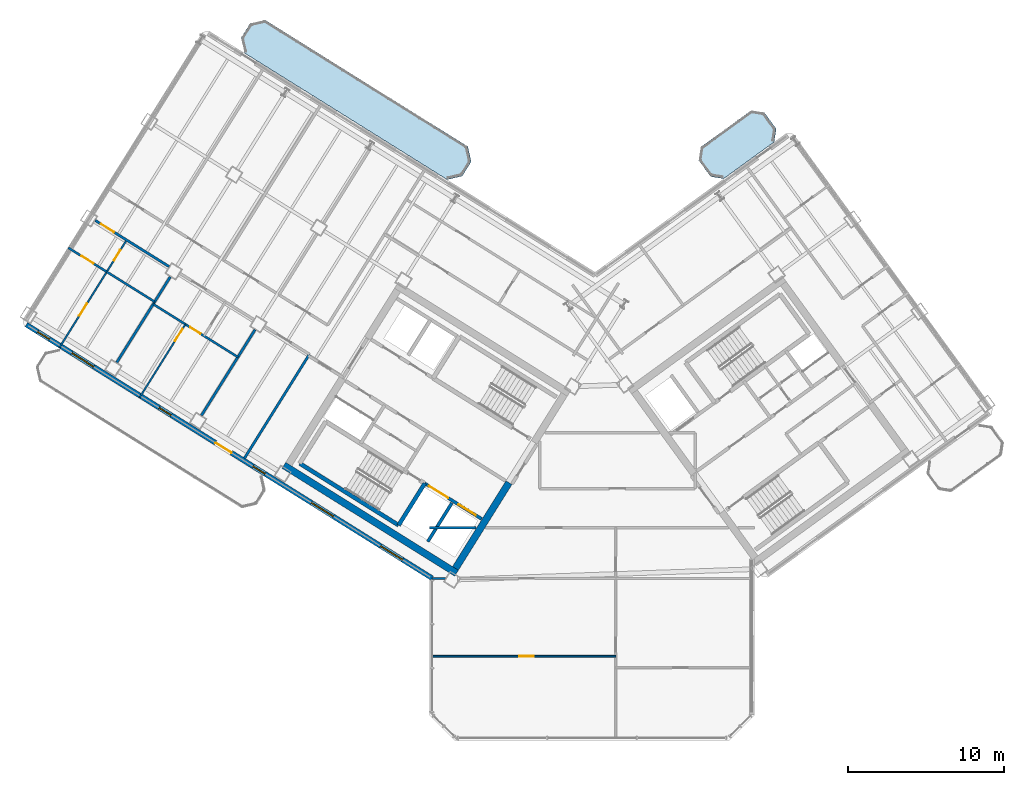
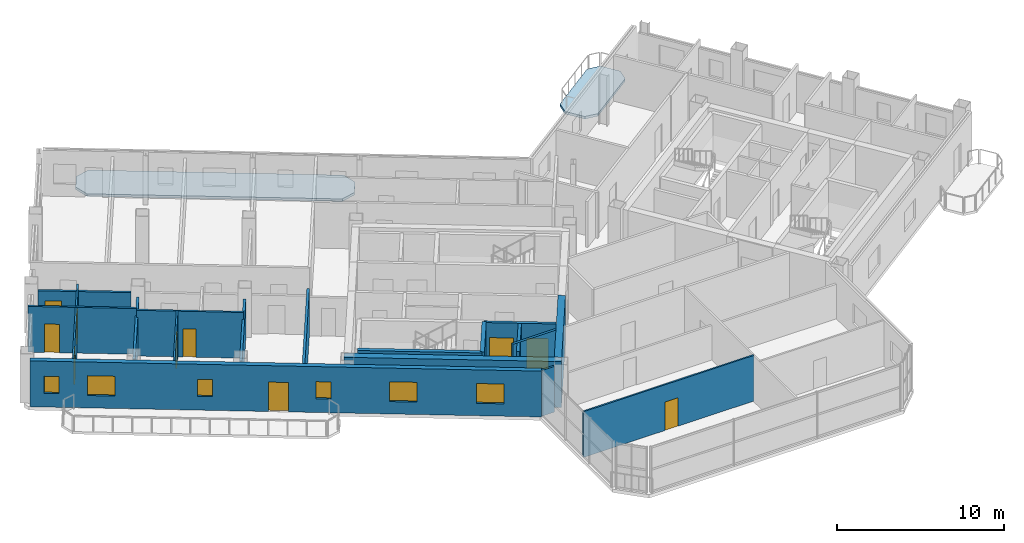
# One storey, part 11 of 21: 19 walls, 10 doors, 6 windows, 2 slabs, 16 openings.
"""IFC4 building model written with IfcOpenShell, lengths in metres."""

from ifc_helpers import new_model, si_unit, direction, frame, frame_2d, origin, place, context, subcontext, project, spatial, polyline, rectangle, outline, extrude, source, transform, mapped, material, layer, layer_set, type_object, element, fill, save


model = new_model("IFC4")

# Units and contexts
model_context = context("Model", 3, precision=1e-05, world=origin(), true_north=direction((0.0, 1.0)))
body_context = subcontext(model_context, "Body", "Model", "MODEL_VIEW")
ifc_project = project(units=[si_unit("LENGTHUNIT", "METRE"), si_unit("AREAUNIT", "SQUARE_METRE"), si_unit("VOLUMEUNIT", "CUBIC_METRE"), si_unit("PLANEANGLEUNIT", "RADIAN"), si_unit("MASSUNIT", "GRAM", prefix="KILO")], contexts=[model_context])

# Site, building, storey
site_placement = place(None, origin())
site = spatial("IfcSite", under=ifc_project, at=site_placement, CompositionType="ELEMENT")
building_placement = place(site_placement, origin())
building = spatial("IfcBuilding", under=site, at=building_placement, Name="Tlacorven Tower", CompositionType="ELEMENT")
storey_placement = place(building_placement, frame((0.0, 0.0, 214.800048828125)))
storey = spatial("IfcBuildingStorey", under=building, at=storey_placement, Name="L54", CompositionType="ELEMENT", Elevation=214.800048828125)

# Slabs
ifc_material_1 = material(Name="Precast concrete C45/55", Category="concrete")
ifc_layer_1 = layer(ifc_material_1, 0.179931640625)
ifc_layer_set_1 = layer_set([ifc_layer_1], Name="Precast concrete C45/55")
slab_type = type_object("IfcSlabType", Name="SL-BAL-180", PredefinedType="USERDEFINED", material=ifc_layer_set_1)
slab_1_placement = place(storey_placement, frame((0.0, 0.0, -0.179931640625)))
element("IfcSlab", 1, at=slab_1_placement, inside=storey, type_object=slab_type, Name="L54 West Wing Balcony Ribbon IN", ObjectType="BALCONY SLAB", PredefinedType="USERDEFINED", context=body_context, shape_type="SweptSolid", body=[
    extrude(outline(polyline([(34.0419921875, 39.835693359375), (21.06689453125, 47.943359375), (20.102294921875, 47.720703125), (19.52197265625, 46.7919921875), (19.744873046875, 45.827392578125), (32.719970703125, 37.7197265625), (33.6845703125, 37.9423828125), (34.2646484375, 38.87109375), (34.0419921875, 39.835693359375)])), origin(), (0.0, 0.0, 1.0), 0.179931640625),
])
slab_2_placement = place(storey_placement, frame((0.0, 0.0, -0.179931640625)))
element("IfcSlab", 2, at=slab_2_placement, inside=storey, type_object=slab_type, Name="L54 East Wing Balcony Ribbon IN", ObjectType="BALCONY SLAB", PredefinedType="USERDEFINED", context=body_context, shape_type="SweptSolid", body=[
    extrude(outline(polyline([(50.433837890625, 37.77880859375), (53.669921875, 40.1298828125), (53.802490234375, 40.968017578125), (53.04150390625, 42.015625), (52.203369140625, 42.1484375), (48.96728515625, 39.79736328125), (48.83447265625, 38.959228515625), (49.595703125, 37.91162109375), (50.433837890625, 37.77880859375)])), origin(), (0.0, 0.0, 1.0), 0.179931640625),
])

# Walls
ifc_material_2 = material(Name="Concrete C50/60", Category="concrete")
ifc_layer_2 = layer(ifc_material_2, 0.449951171875)
ifc_layer_set_2 = layer_set([ifc_layer_2], Name="Concrete C50/60")
wall_type_1 = type_object("IfcWallType", Name="WL-COR-450", PredefinedType="SHEAR", material=ifc_layer_set_2)
wall_1_placement = place(storey_placement, frame((33.32373046875, 12.5029296875, 0.0), z_axis=(0.0, 0.0, 1.0), x_axis=(-0.848043529849, 0.529926571782, 0.0)))
element("IfcWall", 3, at=wall_1_placement, inside=storey, type_object=wall_type_1, Name="L54 W core shear wall S2", PredefinedType="SHEAR", context=body_context, shape_type="SweptSolid", body=[
    extrude(rectangle(XDim=13.039794921875, YDim=0.449951171875, at=frame_2d((6.52001953125, 0.0))), origin(), (0.0, 0.0, 1.0), 3.349853515625),
])
wall_2_placement = place(storey_placement, frame((36.683349609375, 18.30419921875, 0.0), z_axis=(0.0, 0.0, 1.0), x_axis=(-0.529904039071, -0.848057609704, 0.0)))
element("IfcWall", 4, at=wall_2_placement, inside=storey, type_object=wall_type_1, Name="L54 W core end wall E1.2", PredefinedType="SHEAR", context=body_context, shape_type="SweptSolid", body=[
    extrude(rectangle(XDim=6.47509765625, YDim=0.449951171875, at=frame_2d((3.237548828125, 0.0))), origin(), (0.0, 0.0, 1.0), 3.349853515625),
])
ifc_material_3 = material(Name="Gypsum plasterboard acoustic partition", Category="gypsum")
ifc_layer_3 = layer(ifc_material_3, 0.159912109375)
ifc_layer_set_3 = layer_set([ifc_layer_3], Name="Gypsum plasterboard acoustic partition")
wall_type_2 = type_object("IfcWallType", Name="WL-DEM-160", PredefinedType="PARTITIONING", material=ifc_layer_set_3)
wall_3_placement = place(storey_placement, frame((23.899169921875, 26.528564453125, 0.0), z_axis=(0.0, 0.0, 1.0), x_axis=(-0.529920662441, -0.848047222457, 0.0)))
element("IfcWall", 5, at=wall_3_placement, inside=storey, type_object=wall_type_2, Name="L54 partition 42", PredefinedType="PARTITIONING", context=body_context, shape_type="SweptSolid", body=[
    extrude(rectangle(XDim=7.85009765625, YDim=0.159912109375, at=frame_2d((3.925048828125, 0.0))), origin(), (0.0, 0.0, 1.0), 3.33984375),
])

# Wall, opening, door
wall_4_placement = place(storey_placement, frame((14.908203125, 32.146728515625, 0.0), z_axis=(0.0, 0.0, 1.0), x_axis=(-0.848049955116, 0.529916289265, 0.0)))
wall_4 = element("IfcWall", 6, at=wall_4_placement, inside=storey, type_object=wall_type_2, Name="L54 Wing W Corridor North Wall", PredefinedType="PARTITIONING", context=body_context, shape_type="SweptSolid", body=[
    extrude(rectangle(XDim=5.575927734375, YDim=0.159912109375, at=frame_2d((2.7880859375, 0.0))), origin(), (0.0, 0.0, 1.0), 2.824951171875),
])
opening_1_placement = place(wall_4_placement, frame((4.157958984375, 0.0, 0.0)))
opening_1 = element("IfcOpeningElement", 7, at=opening_1_placement, cuts=wall_4, Name="Opening D11", PredefinedType="OPENING", context=body_context, shape_type="SweptSolid", body=[
    extrude(rectangle(XDim=1.0, YDim=2.10009765625, at=frame_2d((0.5, 1.050048828125))), frame((0.0, 0.08984375, 0.0), z_axis=(0.0, -1.0, 0.0), x_axis=(1.0, 0.0, 0.0)), (0.0, 0.0, 1.0), 0.179931640625),
])
ifc_material_4 = material(Name="Fire-rated steel door assembly", Category="steel")
door_type_1 = type_object("IfcDoorType", Name="DR-FLT-FD60-1000", OperationType="NOTDEFINED", PredefinedType="DOOR", material=ifc_material_4)
shared_shape_1 = source(origin(), body_context, "Body", "SweptSolid", [
    extrude(rectangle(XDim=1.0, YDim=2.10009765625, at=frame_2d((0.5, 1.050048828125))), frame((0.0, 0.02490234375, 0.0), z_axis=(0.0, -1.0, 0.0), x_axis=(1.0, 0.0, 0.0)), (0.0, 0.0, 1.0), 0.050048828125),
])
door_1_placement = place(opening_1_placement, origin())
door_1 = element("IfcDoor", 8, at=door_1_placement, inside=storey, type_object=door_type_1, Name="L54 door 030", OperationType="SINGLE_SWING_LEFT", OverallHeight=2.10009765625, OverallWidth=1.0, PredefinedType="DOOR", context=body_context, shape_type="MappedRepresentation", body=[
    mapped(shared_shape_1, transform((0.0, 0.0, 0.0), scale=1.0)),
])
fill(opening_1, door_1)

# Walls
wall_5_placement = place(storey_placement, frame((20.413818359375, 28.102783203125, 0.0), z_axis=(0.0, 0.0, 1.0), x_axis=(-0.529934553702, -0.848038542045, 0.0)))
element("IfcWall", 9, at=wall_5_placement, inside=storey, type_object=wall_type_2, Name="L54 WN Demising Wall 1", PredefinedType="PARTITIONING", context=body_context, shape_type="SweptSolid", body=[
    extrude(rectangle(XDim=6.47607421875, YDim=0.159912109375, at=frame_2d((3.238037109375, 0.0))), origin(), (0.0, 0.0, 1.0), 2.824951171875),
])
wall_6_placement = place(storey_placement, frame((14.986083984375, 31.494140625, 0.0), z_axis=(0.0, 0.0, 1.0), x_axis=(-0.529907440938, -0.848055484057, 0.0)))
element("IfcWall", 10, at=wall_6_placement, inside=storey, type_object=wall_type_2, Name="L54 WN Demising Wall 2", PredefinedType="PARTITIONING", context=body_context, shape_type="SweptSolid", body=[
    extrude(rectangle(XDim=6.475830078125, YDim=0.159912109375, at=frame_2d((3.23779296875, 0.0))), origin(), (0.0, 0.0, 1.0), 2.824951171875),
])
wall_7_placement = place(storey_placement, frame((31.60009765625, 15.419921875, 0.0), z_axis=(0.0, 0.0, 1.0), x_axis=(1.0, 0.0, 0.0)))
element("IfcWall", 11, at=wall_7_placement, inside=storey, type_object=wall_type_2, Name="L54 Knuckle Corridor South Wall", PredefinedType="PARTITIONING", context=body_context, shape_type="SweptSolid", body=[
    extrude(rectangle(XDim=2.984130859375, YDim=0.159912109375, at=frame_2d((1.4921875, 0.0))), origin(), (0.0, 0.0, 1.0), 3.33984375),
])

# Wall, openings, door, windows
ifc_layer_4 = layer(ifc_material_1, 0.320068359375)
ifc_layer_set_4 = layer_set([ifc_layer_4], Name="Precast concrete C45/55")
wall_type_3 = type_object("IfcWallType", Name="WL-EXT-320", PredefinedType="STANDARD", material=ifc_layer_set_4)
wall_8_placement = place(storey_placement, frame((31.760009765625, 12.18310546875, 0.0), z_axis=(0.0, 0.0, 1.0), x_axis=(-0.848047074256, 0.529920899612, 0.0)))
wall_8 = element("IfcWall", 12, at=wall_8_placement, inside=storey, type_object=wall_type_3, Name="L54 Masonry-Frame Recessed Facade Wall 1", PredefinedType="STANDARD", context=body_context, shape_type="SweptSolid", body=[
    extrude(rectangle(XDim=30.652099609375, YDim=0.320068359375, at=frame_2d((15.326171875, 0.0))), origin(), (0.0, 0.0, 1.0), 3.349853515625),
])
opening_2_placement = place(wall_8_placement, frame((15.165771484375, 0.0, 0.0)))
opening_2 = element("IfcOpeningElement", 13, at=opening_2_placement, cuts=wall_8, Name="Opening D05", PredefinedType="OPENING", context=body_context, shape_type="SweptSolid", body=[
    extrude(rectangle(XDim=1.199951171875, YDim=2.14990234375, at=frame_2d((0.60009765625, 1.074951171875))), frame((0.0, 0.169921875, 0.0), z_axis=(0.0, -1.0, 0.0), x_axis=(1.0, 0.0, 0.0)), (0.0, 0.0, 1.0), 0.340087890625),
])
opening_3_placement = place(wall_8_placement, frame((2.239501953125, 0.0, 0.89990234375)))
opening_3 = element("IfcOpeningElement", 14, at=opening_3_placement, cuts=wall_8, Name="Opening WN07", PredefinedType="OPENING", context=body_context, shape_type="SweptSolid", body=[
    extrude(rectangle(XDim=1.64990234375, YDim=1.449951171875, at=frame_2d((0.824951171875, 0.72509765625))), frame((0.0, 0.169921875, 0.0), z_axis=(0.0, -1.0, 0.0), x_axis=(1.0, 0.0, 0.0)), (0.0, 0.0, 1.0), 0.340087890625),
])
opening_4_placement = place(wall_8_placement, frame((7.46875, 0.0, 0.89990234375)))
opening_4 = element("IfcOpeningElement", 15, at=opening_4_placement, cuts=wall_8, Name="Opening WN07", PredefinedType="OPENING", context=body_context, shape_type="SweptSolid", body=[
    extrude(rectangle(XDim=1.64990234375, YDim=1.449951171875, at=frame_2d((0.824951171875, 0.72509765625))), frame((0.0, 0.169921875, 0.0), z_axis=(0.0, -1.0, 0.0), x_axis=(1.0, 0.0, 0.0)), (0.0, 0.0, 1.0), 0.340087890625),
])
opening_5_placement = place(wall_8_placement, frame((12.623291015625, 0.0, 1.0)))
opening_5 = element("IfcOpeningElement", 16, at=opening_5_placement, cuts=wall_8, Name="Opening WN05", PredefinedType="OPENING", context=body_context, shape_type="SweptSolid", body=[
    extrude(rectangle(XDim=0.89990234375, YDim=1.25, at=frame_2d((0.449951171875, 0.625))), frame((0.0, 0.169921875, 0.0), z_axis=(0.0, -1.0, 0.0), x_axis=(1.0, 0.0, 0.0)), (0.0, 0.0, 1.0), 0.340087890625),
])
opening_6_placement = place(wall_8_placement, frame((19.71484375, 0.0, 1.0)))
opening_6 = element("IfcOpeningElement", 17, at=opening_6_placement, cuts=wall_8, Name="Opening WN05", PredefinedType="OPENING", context=body_context, shape_type="SweptSolid", body=[
    extrude(rectangle(XDim=0.89990234375, YDim=1.25, at=frame_2d((0.449951171875, 0.625))), frame((0.0, 0.169921875, 0.0), z_axis=(0.0, -1.0, 0.0), x_axis=(1.0, 0.0, 0.0)), (0.0, 0.0, 1.0), 0.340087890625),
])
opening_7_placement = place(wall_8_placement, frame((25.56591796875, 0.0, 0.89990234375)))
opening_7 = element("IfcOpeningElement", 18, at=opening_7_placement, cuts=wall_8, Name="Opening WN07", PredefinedType="OPENING", context=body_context, shape_type="SweptSolid", body=[
    extrude(rectangle(XDim=1.64990234375, YDim=1.449951171875, at=frame_2d((0.824951171875, 0.72509765625))), frame((0.0, 0.169921875, 0.0), z_axis=(0.0, -1.0, 0.0), x_axis=(1.0, 0.0, 0.0)), (0.0, 0.0, 1.0), 0.340087890625),
])
opening_8_placement = place(wall_8_placement, frame((28.895751953125, 0.0, 1.0)))
opening_8 = element("IfcOpeningElement", 19, at=opening_8_placement, cuts=wall_8, Name="Opening WN05", PredefinedType="OPENING", context=body_context, shape_type="SweptSolid", body=[
    extrude(rectangle(XDim=0.89990234375, YDim=1.25, at=frame_2d((0.449951171875, 0.625))), frame((0.0, 0.169921875, 0.0), z_axis=(0.0, -1.0, 0.0), x_axis=(1.0, 0.0, 0.0)), (0.0, 0.0, 1.0), 0.340087890625),
])
ifc_material_5 = material(Name="Powder-coated aluminium and timber door", Category="wood")
door_type_2 = type_object("IfcDoorType", Name="DR-EXT-BALC-1200", OperationType="NOTDEFINED", PredefinedType="DOOR", material=ifc_material_5)
shared_shape_2 = source(origin(), body_context, "Body", "SweptSolid", [
    extrude(rectangle(XDim=1.199951171875, YDim=2.14990234375, at=frame_2d((0.60009765625, 1.074951171875))), frame((0.0, 0.02490234375, 0.0), z_axis=(0.0, -1.0, 0.0), x_axis=(1.0, 0.0, 0.0)), (0.0, 0.0, 1.0), 0.050048828125),
])
door_2_placement = place(opening_2_placement, origin())
door_2 = element("IfcDoor", 20, at=door_2_placement, inside=storey, type_object=door_type_2, Name="L54 Outdoor Access Door BAL-L54-W-OUT", OperationType="SINGLE_SWING_LEFT", OverallHeight=2.14990234375, OverallWidth=1.199951171875, PredefinedType="DOOR", context=body_context, shape_type="MappedRepresentation", body=[
    mapped(shared_shape_2, transform((0.0, 0.0, 0.0), scale=1.0)),
])
fill(opening_2, door_2)
ifc_material_6 = material(Name="Dark solar low-E double glazing in anodised aluminium frame", Category="aluminium")
window_type_1 = type_object("IfcWindowType", Name="WN-APT-0900X1350", PartitioningType="SINGLE_PANEL", PredefinedType="WINDOW", material=ifc_material_6)
shared_shape_3 = source(origin(), body_context, "Body", "SweptSolid", [
    extrude(rectangle(XDim=0.89990234375, YDim=1.25, at=frame_2d((0.449951171875, 0.625))), frame((0.0, 0.030029296875, 0.0), z_axis=(0.0, -1.0, 0.0), x_axis=(1.0, 0.0, 0.0)), (0.0, 0.0, 1.0), 0.06005859375),
])
window_1_placement = place(opening_5_placement, origin())
window_1 = element("IfcWindow", 21, at=window_1_placement, inside=storey, type_object=window_type_1, Name="L54 Recessed Masonry-Frame Window L54-01.3", OverallHeight=1.25, OverallWidth=0.89990234375, PartitioningType="SINGLE_PANEL", PredefinedType="WINDOW", context=body_context, shape_type="MappedRepresentation", body=[
    mapped(shared_shape_3, transform((0.0, 0.0, 0.0), scale=1.0)),
])
fill(opening_5, window_1)
window_2_placement = place(opening_6_placement, origin())
window_2 = element("IfcWindow", 22, at=window_2_placement, inside=storey, type_object=window_type_1, Name="L54 Recessed Masonry-Frame Window L54-01.4", OverallHeight=1.25, OverallWidth=0.89990234375, PartitioningType="SINGLE_PANEL", PredefinedType="WINDOW", context=body_context, shape_type="MappedRepresentation", body=[
    mapped(shared_shape_3, transform((0.0, 0.0, 0.0), scale=1.0)),
])
fill(opening_6, window_2)
window_3_placement = place(opening_8_placement, origin())
window_3 = element("IfcWindow", 23, at=window_3_placement, inside=storey, type_object=window_type_1, Name="L54 Recessed Masonry-Frame Window L54-01.6", OverallHeight=1.25, OverallWidth=0.89990234375, PartitioningType="SINGLE_PANEL", PredefinedType="WINDOW", context=body_context, shape_type="MappedRepresentation", body=[
    mapped(shared_shape_3, transform((0.0, 0.0, 0.0), scale=1.0)),
])
fill(opening_8, window_3)
window_type_2 = type_object("IfcWindowType", Name="WN-APT-1650X1600", PartitioningType="SINGLE_PANEL", PredefinedType="WINDOW", material=ifc_material_6)
shared_shape_4 = source(origin(), body_context, "Body", "SweptSolid", [
    extrude(rectangle(XDim=1.64990234375, YDim=1.449951171875, at=frame_2d((0.824951171875, 0.72509765625))), frame((0.0, 0.030029296875, 0.0), z_axis=(0.0, -1.0, 0.0), x_axis=(1.0, 0.0, 0.0)), (0.0, 0.0, 1.0), 0.06005859375),
])
window_4_placement = place(opening_3_placement, origin())
window_4 = element("IfcWindow", 24, at=window_4_placement, inside=storey, type_object=window_type_2, Name="L54 Recessed Masonry-Frame Window L54-01.1", OverallHeight=1.449951171875, OverallWidth=1.64990234375, PartitioningType="SINGLE_PANEL", PredefinedType="WINDOW", context=body_context, shape_type="MappedRepresentation", body=[
    mapped(shared_shape_4, transform((0.0, 0.0, 0.0), scale=1.0)),
])
fill(opening_3, window_4)
window_5_placement = place(opening_4_placement, origin())
window_5 = element("IfcWindow", 25, at=window_5_placement, inside=storey, type_object=window_type_2, Name="L54 Recessed Masonry-Frame Window L54-01.2", OverallHeight=1.449951171875, OverallWidth=1.64990234375, PartitioningType="SINGLE_PANEL", PredefinedType="WINDOW", context=body_context, shape_type="MappedRepresentation", body=[
    mapped(shared_shape_4, transform((0.0, 0.0, 0.0), scale=1.0)),
])
fill(opening_4, window_5)
window_6_placement = place(opening_7_placement, origin())
window_6 = element("IfcWindow", 26, at=window_6_placement, inside=storey, type_object=window_type_2, Name="L54 Recessed Masonry-Frame Window L54-01.5", OverallHeight=1.449951171875, OverallWidth=1.64990234375, PartitioningType="SINGLE_PANEL", PredefinedType="WINDOW", context=body_context, shape_type="MappedRepresentation", body=[
    mapped(shared_shape_4, transform((0.0, 0.0, 0.0), scale=1.0)),
])
fill(opening_7, window_6)

# Wall, opening, door
ifc_material_7 = material(Name="Gypsum plasterboard partition", Category="gypsum")
ifc_layer_5 = layer(ifc_material_7, 0.110107421875)
ifc_layer_set_5 = layer_set([ifc_layer_5], Name="Gypsum plasterboard partition")
wall_type_4 = type_object("IfcWallType", Name="WL-INT-110", PredefinedType="PARTITIONING", material=ifc_layer_set_5)
wall_9_placement = place(storey_placement, frame((15.952880859375, 28.45166015625, 0.0), z_axis=(0.0, 0.0, 1.0), x_axis=(-0.529919714018, -0.848047815099, 0.0)))
wall_9 = element("IfcWall", 27, at=wall_9_placement, inside=storey, type_object=wall_type_4, Name="L54 partition 50", PredefinedType="PARTITIONING", context=body_context, shape_type="SweptSolid", body=[
    extrude(rectangle(XDim=5.5400390625, YDim=0.110107421875, at=frame_2d((2.77001953125, 0.0))), origin(), (0.0, 0.0, 1.0), 3.33984375),
])
opening_9_placement = place(wall_9_placement, frame((0.35009765625, 0.0, 0.0)))
opening_9 = element("IfcOpeningElement", 28, at=opening_9_placement, cuts=wall_9, Name="Opening D12", PredefinedType="OPENING", context=body_context, shape_type="SweptSolid", body=[
    extrude(rectangle(XDim=0.919921875, YDim=2.080078125, at=frame_2d((0.4599609375, 1.0400390625))), frame((0.0, 0.06494140625, 0.0), z_axis=(0.0, -1.0, 0.0), x_axis=(1.0, 0.0, 0.0)), (0.0, 0.0, 1.0), 0.130126953125),
])
door_type_3 = type_object("IfcDoorType", Name="DR-INT-ROOM-0920", OperationType="NOTDEFINED", PredefinedType="DOOR", material=ifc_material_5)
shared_shape_5 = source(origin(), body_context, "Body", "SweptSolid", [
    extrude(rectangle(XDim=0.919921875, YDim=2.080078125, at=frame_2d((0.4599609375, 1.0400390625))), frame((0.0, 0.02490234375, 0.0), z_axis=(0.0, -1.0, 0.0), x_axis=(1.0, 0.0, 0.0)), (0.0, 0.0, 1.0), 0.050048828125),
])
door_3_placement = place(opening_9_placement, origin())
door_3 = element("IfcDoor", 29, at=door_3_placement, inside=storey, type_object=door_type_3, Name="L54 door 025", OperationType="SINGLE_SWING_RIGHT", OverallHeight=2.080078125, OverallWidth=0.919921875, PredefinedType="DOOR", context=body_context, shape_type="MappedRepresentation", body=[
    mapped(shared_shape_5, transform((0.0, 0.0, 0.0), scale=1.0)),
])
fill(opening_9, door_3)

# Wall, openings, doors
wall_10_placement = place(storey_placement, frame((12.1875, 33.8466796875, 0.0), z_axis=(0.0, 0.0, 1.0), x_axis=(-0.529917860021, -0.848048973604, 0.0)))
wall_10 = element("IfcWall", 30, at=wall_10_placement, inside=storey, type_object=wall_type_4, Name="L54 partition 51", PredefinedType="PARTITIONING", context=body_context, shape_type="SweptSolid", body=[
    extrude(rectangle(XDim=8.1201171875, YDim=0.110107421875, at=frame_2d((4.06005859375, 0.0))), origin(), (0.0, 0.0, 1.0), 3.33984375),
])
opening_10_placement = place(wall_10_placement, frame((0.760009765625, 0.0, 0.0)))
opening_10 = element("IfcOpeningElement", 31, at=opening_10_placement, cuts=wall_10, Name="Opening D22", PredefinedType="OPENING", context=body_context, shape_type="SweptSolid", body=[
    extrude(rectangle(XDim=0.780029296875, YDim=2.050048828125, at=frame_2d((0.39013671875, 1.02490234375))), frame((0.0, 0.06494140625, 0.0), z_axis=(0.0, -1.0, 0.0), x_axis=(1.0, 0.0, 0.0)), (0.0, 0.0, 1.0), 0.130126953125),
])
opening_11_placement = place(wall_10_placement, frame((4.800048828125, 0.0, 0.0)))
opening_11 = element("IfcOpeningElement", 32, at=opening_11_placement, cuts=wall_10, Name="Opening D12", PredefinedType="OPENING", context=body_context, shape_type="SweptSolid", body=[
    extrude(rectangle(XDim=0.919921875, YDim=2.080078125, at=frame_2d((0.4599609375, 1.0400390625))), frame((0.0, 0.06494140625, 0.0), z_axis=(0.0, -1.0, 0.0), x_axis=(1.0, 0.0, 0.0)), (0.0, 0.0, 1.0), 0.130126953125),
])
door_type_4 = type_object("IfcDoorType", Name="DR-INT-WET-0780", OperationType="NOTDEFINED", PredefinedType="DOOR", material=ifc_material_5)
shared_shape_6 = source(origin(), body_context, "Body", "SweptSolid", [
    extrude(rectangle(XDim=0.780029296875, YDim=2.050048828125, at=frame_2d((0.39013671875, 1.02490234375))), frame((0.0, 0.02490234375, 0.0), z_axis=(0.0, -1.0, 0.0), x_axis=(1.0, 0.0, 0.0)), (0.0, 0.0, 1.0), 0.050048828125),
])
door_4_placement = place(opening_10_placement, origin())
door_4 = element("IfcDoor", 33, at=door_4_placement, inside=storey, type_object=door_type_4, Name="L54 door 032", OperationType="SINGLE_SWING_LEFT", OverallHeight=2.050048828125, OverallWidth=0.780029296875, PredefinedType="DOOR", context=body_context, shape_type="MappedRepresentation", body=[
    mapped(shared_shape_6, transform((0.0, 0.0, 0.0), scale=1.0)),
])
fill(opening_10, door_4)
door_5_placement = place(opening_11_placement, origin())
door_5 = element("IfcDoor", 34, at=door_5_placement, inside=storey, type_object=door_type_3, Name="L54 door 033", OperationType="SINGLE_SWING_RIGHT", OverallHeight=2.080078125, OverallWidth=0.919921875, PredefinedType="DOOR", context=body_context, shape_type="MappedRepresentation", body=[
    mapped(shared_shape_5, transform((0.0, 0.0, 0.0), scale=1.0)),
])
fill(opening_11, door_5)

# Wall, opening, door
wall_11_placement = place(storey_placement, frame((31.739990234375, 7.18505859375, 0.0), z_axis=(0.0, 0.0, 1.0), x_axis=(1.0, 0.0, 0.0)))
wall_11 = element("IfcWall", 35, at=wall_11_placement, inside=storey, type_object=wall_type_4, Name="L54 partition 72", PredefinedType="PARTITIONING", context=body_context, shape_type="SweptSolid", body=[
    extrude(rectangle(XDim=11.785888671875, YDim=0.110107421875, at=frame_2d((5.89306640625, 0.0))), origin(), (0.0, 0.0, 1.0), 3.33984375),
])
opening_12_placement = place(wall_11_placement, frame((5.613037109375, 0.0, 0.0)))
opening_12 = element("IfcOpeningElement", 36, at=opening_12_placement, cuts=wall_11, Name="Opening D12", PredefinedType="OPENING", context=body_context, shape_type="SweptSolid", body=[
    extrude(rectangle(XDim=0.919921875, YDim=2.080078125, at=frame_2d((0.4599609375, 1.0400390625))), frame((0.0, 0.06494140625, 0.0), z_axis=(0.0, -1.0, 0.0), x_axis=(1.0, 0.0, 0.0)), (0.0, 0.0, 1.0), 0.130126953125),
])
door_6_placement = place(opening_12_placement, frame((0.919921875, 0.0, 0.0), z_axis=(0.0, 0.0, 1.0), x_axis=(-1.0, 0.0, 0.0)))
door_6 = element("IfcDoor", 37, at=door_6_placement, inside=storey, type_object=door_type_3, Name="L54 door 044", OperationType="SINGLE_SWING_LEFT", OverallHeight=2.080078125, OverallWidth=0.919921875, PredefinedType="DOOR", context=body_context, shape_type="MappedRepresentation", body=[
    mapped(shared_shape_5, transform((0.0, 0.0, 0.0), scale=1.0)),
])
fill(opening_12, door_6)

ifc_material_8 = material(Name="Moisture-resistant gypsum plumbing wall", Category="gypsum")
ifc_layer_6 = layer(ifc_material_8, 0.139892578125)
ifc_layer_set_6 = layer_set([ifc_layer_6], Name="Moisture-resistant gypsum plumbing wall")
wall_type_5 = type_object("IfcWallType", Name="WL-PLM-140", PredefinedType="PLUMBINGWALL", material=ifc_layer_set_6)
wall_12_placement = place(storey_placement, frame((19.31787109375, 26.348876953125, 0.0), z_axis=(0.0, 0.0, 1.0), x_axis=(-0.848039019877, 0.529933789039, 0.0)))
wall_12 = element("IfcWall", 38, at=wall_12_placement, inside=storey, type_object=wall_type_5, Name="L54 partition 48", PredefinedType="PLUMBINGWALL", context=body_context, shape_type="SweptSolid", body=[
    extrude(rectangle(XDim=6.400146484375, YDim=0.139892578125, at=frame_2d((3.2001953125, 0.0))), origin(), (0.0, 0.0, 1.0), 3.33984375),
])
opening_13_placement = place(wall_12_placement, frame((2.823974609375, 0.0, 0.0)))
opening_13 = element("IfcOpeningElement", 39, at=opening_13_placement, cuts=wall_12, Name="Opening D22", PredefinedType="OPENING", context=body_context, shape_type="SweptSolid", body=[
    extrude(rectangle(XDim=0.780029296875, YDim=2.050048828125, at=frame_2d((0.39013671875, 1.02490234375))), frame((0.0, 0.080078125, 0.0), z_axis=(0.0, -1.0, 0.0), x_axis=(1.0, 0.0, 0.0)), (0.0, 0.0, 1.0), 0.159912109375),
])
door_7_placement = place(opening_13_placement, origin())
door_7 = element("IfcDoor", 40, at=door_7_placement, inside=storey, type_object=door_type_4, Name="L54 door 027", OperationType="SINGLE_SWING_RIGHT", OverallHeight=2.050048828125, OverallWidth=0.780029296875, PredefinedType="DOOR", context=body_context, shape_type="MappedRepresentation", body=[
    mapped(shared_shape_6, transform((0.0, 0.0, 0.0), scale=1.0)),
])
fill(opening_13, door_7)

wall_13_placement = place(storey_placement, frame((10.915771484375, 31.811279296875, 0.0), z_axis=(0.0, 0.0, 1.0), x_axis=(-0.84802195137, 0.529961102341, 0.0)))
wall_13 = element("IfcWall", 41, at=wall_13_placement, inside=storey, type_object=wall_type_5, Name="L54 partition 53", PredefinedType="PLUMBINGWALL", context=body_context, shape_type="SweptSolid", body=[
    extrude(rectangle(XDim=2.89990234375, YDim=0.139892578125, at=frame_2d((1.449951171875, 0.0))), origin(), (0.0, 0.0, 1.0), 3.33984375),
])
opening_14_placement = place(wall_13_placement, frame((0.989990234375, 0.0, 0.0)))
opening_14 = element("IfcOpeningElement", 42, at=opening_14_placement, cuts=wall_13, Name="Opening D12", PredefinedType="OPENING", context=body_context, shape_type="SweptSolid", body=[
    extrude(rectangle(XDim=0.919921875, YDim=2.080078125, at=frame_2d((0.4599609375, 1.0400390625))), frame((0.0, 0.080078125, 0.0), z_axis=(0.0, -1.0, 0.0), x_axis=(1.0, 0.0, 0.0)), (0.0, 0.0, 1.0), 0.159912109375),
])
door_8_placement = place(opening_14_placement, origin())
door_8 = element("IfcDoor", 43, at=door_8_placement, inside=storey, type_object=door_type_3, Name="L54 door 031", OperationType="SINGLE_SWING_RIGHT", OverallHeight=2.080078125, OverallWidth=0.919921875, PredefinedType="DOOR", context=body_context, shape_type="MappedRepresentation", body=[
    mapped(shared_shape_5, transform((0.0, 0.0, 0.0), scale=1.0)),
])
fill(opening_14, door_8)

# Walls
wall_14_placement = place(storey_placement, frame((13.985595703125, 29.89306640625, 0.0), z_axis=(0.0, 0.0, 1.0), x_axis=(-0.848051346257, 0.52991406295, 0.0)))
element("IfcWall", 44, at=wall_14_placement, inside=storey, type_object=wall_type_5, Name="L54 partition 54", PredefinedType="PLUMBINGWALL", context=body_context, shape_type="SweptSolid", body=[
    extrude(rectangle(XDim=3.619873046875, YDim=0.139892578125, at=frame_2d((1.81005859375, 0.0))), origin(), (0.0, 0.0, 1.0), 3.33984375),
])
wall_15_placement = place(storey_placement, frame((31.739990234375, 12.169921875, 0.0), z_axis=(0.0, 0.0, 1.0), x_axis=(1.0, 0.0, 0.0)))
element("IfcWall", 45, at=wall_15_placement, inside=storey, type_object=wall_type_5, Name="L54 partition 70", PredefinedType="PLUMBINGWALL", context=body_context, shape_type="SweptSolid", body=[
    extrude(rectangle(XDim=0.872314453125, YDim=0.139892578125, at=frame_2d((0.43603515625, 0.0))), origin(), (0.0, 0.0, 1.0), 3.33984375),
])

# Wall, openings, doors
ifc_material_9 = material(Name="Concrete C40/50", Category="concrete")
ifc_layer_7 = layer(ifc_material_9, 0.199951171875)
ifc_layer_set_7 = layer_set([ifc_layer_7], Name="Concrete C40/50")
wall_type_6 = type_object("IfcWallType", Name="WL-SHF-200", PredefinedType="STANDARD", material=ifc_layer_set_7)
wall_16_placement = place(storey_placement, frame((34.93310546875, 15.978271484375, 0.0), z_axis=(0.0, 0.0, 1.0), x_axis=(-0.848055739377, 0.529907032327, 0.0)))
wall_16 = element("IfcWall", 46, at=wall_16_placement, inside=storey, type_object=wall_type_6, Name="L54 Core W Firefighting Lift Shaft Front Wall", PredefinedType="STANDARD", context=body_context, shape_type="SweptSolid", body=[
    extrude(rectangle(XDim=4.298095703125, YDim=0.199951171875, at=frame_2d((2.14892578125, 0.0))), origin(), (0.0, 0.0, 1.0), 3.33984375),
])
opening_15_placement = place(wall_16_placement, frame((0.447998046875, 0.0, 0.0)))
opening_15 = element("IfcOpeningElement", 47, at=opening_15_placement, cuts=wall_16, Name="Opening LD03", PredefinedType="OPENING", context=body_context, shape_type="SweptSolid", body=[
    extrude(rectangle(XDim=1.300048828125, YDim=2.199951171875, at=frame_2d((0.64990234375, 1.10009765625))), frame((0.0, 0.10986328125, 0.0), z_axis=(0.0, -1.0, 0.0), x_axis=(1.0, 0.0, 0.0)), (0.0, 0.0, 1.0), 0.219970703125),
])
opening_16_placement = place(wall_16_placement, frame((2.52294921875, 0.0, 0.0)))
opening_16 = element("IfcOpeningElement", 48, at=opening_16_placement, cuts=wall_16, Name="Opening LD04", PredefinedType="OPENING", context=body_context, shape_type="SweptSolid", body=[
    extrude(rectangle(XDim=1.449951171875, YDim=2.25, at=frame_2d((0.72509765625, 1.125))), frame((0.0, 0.10986328125, 0.0), z_axis=(0.0, -1.0, 0.0), x_axis=(1.0, 0.0, 0.0)), (0.0, 0.0, 1.0), 0.219970703125),
])
door_type_5 = type_object("IfcDoorType", Name="DR-LFT-SLID-1300", OperationType="DOUBLE_DOOR_SLIDING", PredefinedType="DOOR", material=ifc_material_4)
shared_shape_7 = source(origin(), body_context, "Body", "SweptSolid", [
    extrude(rectangle(XDim=1.300048828125, YDim=2.199951171875, at=frame_2d((0.64990234375, 1.10009765625))), frame((0.0, 0.02490234375, 0.0), z_axis=(0.0, -1.0, 0.0), x_axis=(1.0, 0.0, 0.0)), (0.0, 0.0, 1.0), 0.050048828125),
])
door_9_placement = place(opening_15_placement, origin())
door_9 = element("IfcDoor", 49, at=door_9_placement, inside=storey, type_object=door_type_5, Name="L54 Lift FFL-W1 Sliding Landing Door", OperationType="DOUBLE_DOOR_SLIDING", OverallHeight=2.199951171875, OverallWidth=1.300048828125, PredefinedType="DOOR", context=body_context, shape_type="MappedRepresentation", body=[
    mapped(shared_shape_7, transform((0.0, 0.0, 0.0), scale=1.0)),
])
fill(opening_15, door_9)
door_type_6 = type_object("IfcDoorType", Name="DR-LFT-SLID-1450", OperationType="DOUBLE_DOOR_SLIDING", PredefinedType="DOOR", material=ifc_material_4)
shared_shape_8 = source(origin(), body_context, "Body", "SweptSolid", [
    extrude(rectangle(XDim=1.449951171875, YDim=2.25, at=frame_2d((0.72509765625, 1.125))), frame((0.0, 0.02490234375, 0.0), z_axis=(0.0, -1.0, 0.0), x_axis=(1.0, 0.0, 0.0)), (0.0, 0.0, 1.0), 0.050048828125),
])
door_10_placement = place(opening_16_placement, origin())
door_10 = element("IfcDoor", 50, at=door_10_placement, inside=storey, type_object=door_type_6, Name="L54 Lift SVL-W1 Sliding Landing Door", OperationType="DOUBLE_DOOR_SLIDING", OverallHeight=2.25, OverallWidth=1.449951171875, PredefinedType="DOOR", context=body_context, shape_type="MappedRepresentation", body=[
    mapped(shared_shape_8, transform((0.0, 0.0, 0.0), scale=1.0)),
])
fill(opening_16, door_10)

# Walls
wall_17_placement = place(storey_placement, frame((33.02880859375, 17.003173828125, 0.0), z_axis=(0.0, 0.0, 1.0), x_axis=(-0.529916267533, -0.848049968695, 0.0)))
element("IfcWall", 51, at=wall_17_placement, inside=storey, type_object=wall_type_6, Name="L54 partition 11", PredefinedType="STANDARD", context=body_context, shape_type="SweptSolid", body=[
    extrude(rectangle(XDim=2.919921875, YDim=0.199951171875, at=frame_2d((1.4599609375, 0.0))), origin(), (0.0, 0.0, 1.0), 3.33984375),
])
ifc_layer_8 = layer(ifc_material_2, 0.260009765625)
ifc_layer_set_8 = layer_set([ifc_layer_8], Name="Concrete C50/60")
wall_type_7 = type_object("IfcWallType", Name="WL-STW-260", PredefinedType="SHEAR", material=ifc_layer_set_8)
wall_18_placement = place(storey_placement, frame((29.60498046875, 15.581298828125, 0.0), z_axis=(0.0, 0.0, 1.0), x_axis=(-0.848036911448, 0.529937163087, 0.0)))
element("IfcWall", 52, at=wall_18_placement, inside=storey, type_object=wall_type_7, Name="L54 Stair W1 Far Shear Wall", PredefinedType="SHEAR", context=body_context, shape_type="SweptSolid", body=[
    extrude(rectangle(XDim=7.4599609375, YDim=0.260009765625, at=frame_2d((3.72998046875, 0.0))), origin(), (0.0, 0.0, 1.0), 3.349853515625),
])
wall_19_placement = place(storey_placement, frame((31.2880859375, 18.255859375, 0.0), z_axis=(0.0, 0.0, 1.0), x_axis=(-0.529943379326, -0.848033026897, 0.0)))
element("IfcWall", 53, at=wall_19_placement, inside=storey, type_object=wall_type_7, Name="L54 Stair W1 West Shear Wall", PredefinedType="SHEAR", context=body_context, shape_type="SweptSolid", body=[
    extrude(rectangle(XDim=3.159912109375, YDim=0.260009765625, at=frame_2d((1.580078125, 0.0))), origin(), (0.0, 0.0, 1.0), 3.349853515625),
])

save(model, "model.ifc")
